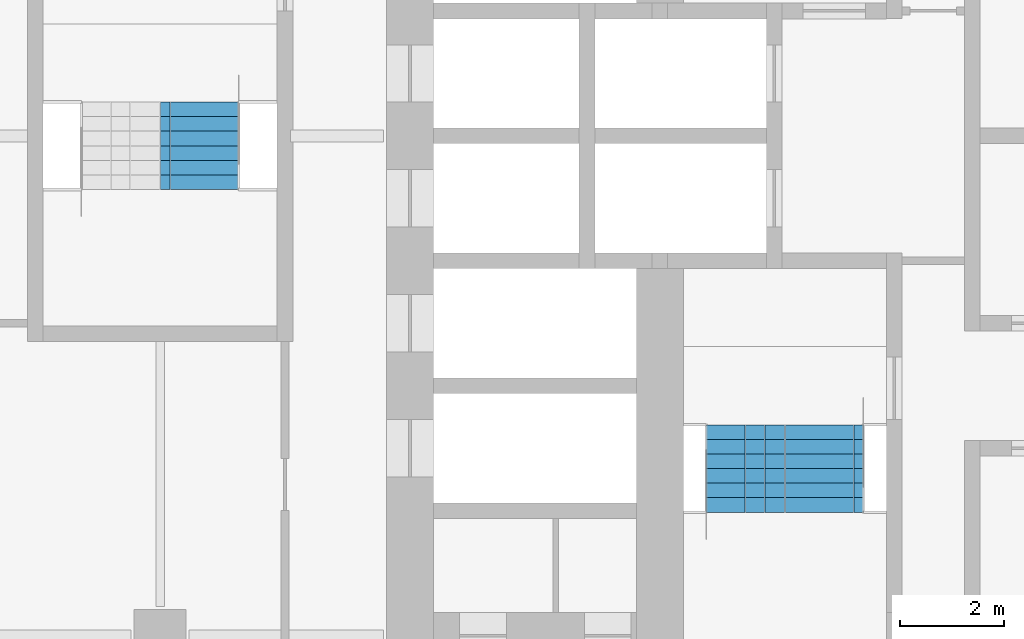
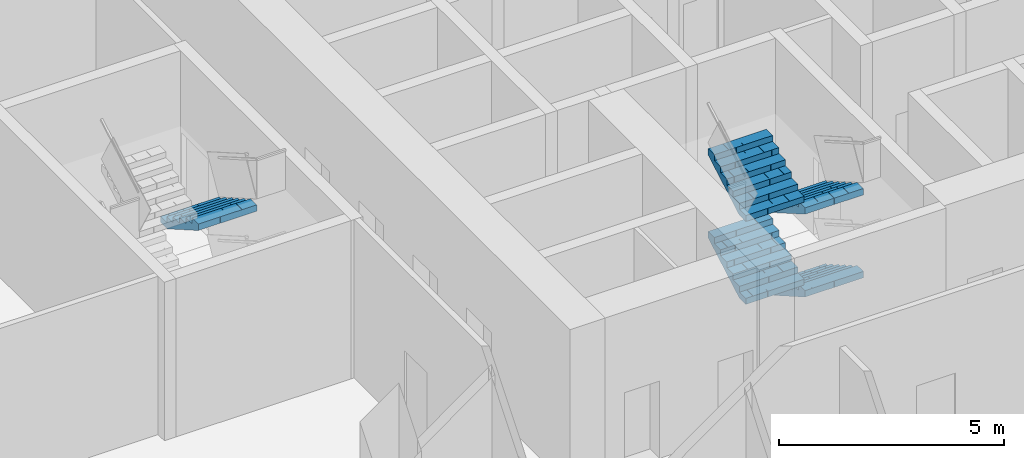
# One storey, part 18 of 23: 5 stair flights, 2 elements without a shape of their own.
"""IFC4 building model written with IfcOpenShell, lengths in metres."""

from ifc_helpers import new_model, si_unit, direction, frame, origin, place, context, subcontext, project, spatial, polyline, outline, extrude, material, type_object, element, aggregate, save


model = new_model("IFC4")

# Units and contexts
model_context = context("Model", 3, precision=1e-05, world=origin(), true_north=direction((0.0, 1.0)))
body_context = subcontext(model_context, "Body", "Model", "MODEL_VIEW")
ifc_project = project(units=[si_unit("LENGTHUNIT", "METRE"), si_unit("AREAUNIT", "SQUARE_METRE"), si_unit("VOLUMEUNIT", "CUBIC_METRE"), si_unit("PLANEANGLEUNIT", "RADIAN"), si_unit("MASSUNIT", "GRAM", prefix="KILO")], contexts=[model_context])

# Site, building, storey
site_placement = place(None, origin())
site = spatial("IfcSite", under=ifc_project, at=site_placement, CompositionType="ELEMENT")
building_placement = place(site_placement, origin())
building = spatial("IfcBuilding", under=site, at=building_placement, Name="Kolab Exchange Tower", CompositionType="ELEMENT")
storey_placement = place(building_placement, frame((0.0, 0.0, 77.89990234375)))
storey = spatial("IfcBuildingStorey", under=building, at=storey_placement, Name="L14", CompositionType="ELEMENT", Elevation=77.89990234375)

# Stair, stair flights
ifc_material = material(Name="Concrete C50/60", Category="concrete")
stair_type_1 = type_object("IfcStairType", Name="STAIR ST3 RISER 160.7", PredefinedType="DOUBLE_RETURN_STAIR", material=ifc_material)
stair_1_placement = place(storey_placement, origin())
stair_1 = element("IfcStair", 1, at=stair_1_placement, inside=storey, type_object=stair_type_1, Name="Stair 3", PredefinedType="DOUBLE_RETURN_STAIR")
stair_flight_type = type_object("IfcStairFlightType", Name="STAIR FLIGHT 1500 RISER 160.7", PredefinedType="STRAIGHT", material=ifc_material)
stair_flight_1_placement = place(storey_placement, frame((-6.43994140625, -5.550048828125, 0.0), z_axis=(0.0, 0.0, 1.0), x_axis=(0.0, -1.0, 0.0)))
stair_flight_1 = element("IfcStairFlight", 2, at=stair_flight_1_placement, type_object=stair_flight_type, Name="ST3 flight 1", NumberOfRisers=7, NumberOfTreads=6, PredefinedType="STRAIGHT", RiserHeight=0.160714286, TreadLength=0.28, context=body_context, shape_type="SweptSolid", body=[
    extrude(outline(polyline([(0.0, 0.0), (0.0, 0.16064453125), (0.280029296875, 0.16064453125), (0.280029296875, 0.321533203125), (0.56005859375, 0.321533203125), (0.56005859375, 0.482177734375), (0.840087890625, 0.482177734375), (0.840087890625, 0.642822265625), (1.1201171875, 0.642822265625), (1.1201171875, 0.803466796875), (1.39990234375, 0.803466796875), (1.39990234375, 0.96435546875), (1.679931640625, 0.96435546875), (1.679931640625, 1.125), (1.679931640625, 0.79150390625), (0.301025390625, 0.0), (0.0, 0.0)])), frame((0.0, 0.75, 0.0), z_axis=(0.0, -1.0, 0.0), x_axis=(1.0, 0.0, 0.0)), (0.0, 0.0, 1.0), 0.185791015625),
    extrude(outline(polyline([(0.0, 0.0), (0.0, 0.16064453125), (0.280029296875, 0.16064453125), (0.280029296875, 0.321533203125), (0.56005859375, 0.321533203125), (0.56005859375, 0.482177734375), (0.840087890625, 0.482177734375), (0.840087890625, 0.642822265625), (1.1201171875, 0.642822265625), (1.1201171875, 0.803466796875), (1.39990234375, 0.803466796875), (1.39990234375, 0.96435546875), (1.679931640625, 0.96435546875), (1.679931640625, 1.125), (1.679931640625, 0.79150390625), (0.301025390625, 0.0), (0.0, 0.0)])), frame((0.0, 0.562255859375, 0.0), z_axis=(0.0, -1.0, 0.0), x_axis=(1.0, 0.0, 0.0)), (0.0, 0.0, 1.0), 0.185791015625),
    extrude(outline(polyline([(0.0, 0.0), (0.0, 0.16064453125), (0.280029296875, 0.16064453125), (0.280029296875, 0.321533203125), (0.56005859375, 0.321533203125), (0.56005859375, 0.482177734375), (0.840087890625, 0.482177734375), (0.840087890625, 0.642822265625), (1.1201171875, 0.642822265625), (1.1201171875, 0.803466796875), (1.39990234375, 0.803466796875), (1.39990234375, 0.96435546875), (1.679931640625, 0.96435546875), (1.679931640625, 1.125), (1.679931640625, 0.79150390625), (0.301025390625, 0.0), (0.0, 0.0)])), frame((0.0, 0.37451171875, 0.0), z_axis=(0.0, -1.0, 0.0), x_axis=(1.0, 0.0, 0.0)), (0.0, 0.0, 1.0), 0.185791015625),
    extrude(outline(polyline([(0.0, 0.0), (0.0, 0.16064453125), (0.280029296875, 0.16064453125), (0.280029296875, 0.321533203125), (0.56005859375, 0.321533203125), (0.56005859375, 0.482177734375), (0.840087890625, 0.482177734375), (0.840087890625, 0.642822265625), (1.1201171875, 0.642822265625), (1.1201171875, 0.803466796875), (1.39990234375, 0.803466796875), (1.39990234375, 0.96435546875), (1.679931640625, 0.96435546875), (1.679931640625, 1.125), (1.679931640625, 0.79150390625), (0.301025390625, 0.0), (0.0, 0.0)])), frame((0.0, 0.186767578125, 0.0), z_axis=(0.0, -1.0, 0.0), x_axis=(1.0, 0.0, 0.0)), (0.0, 0.0, 1.0), 0.185791015625),
    extrude(outline(polyline([(0.0, 0.0), (0.0, 0.16064453125), (0.280029296875, 0.16064453125), (0.280029296875, 0.321533203125), (0.56005859375, 0.321533203125), (0.56005859375, 0.482177734375), (0.840087890625, 0.482177734375), (0.840087890625, 0.642822265625), (1.1201171875, 0.642822265625), (1.1201171875, 0.803466796875), (1.39990234375, 0.803466796875), (1.39990234375, 0.96435546875), (1.679931640625, 0.96435546875), (1.679931640625, 1.125), (1.679931640625, 0.79150390625), (0.301025390625, 0.0), (0.0, 0.0)])), frame((0.0, -0.0009765625, 0.0), z_axis=(0.0, -1.0, 0.0), x_axis=(1.0, 0.0, 0.0)), (0.0, 0.0, 1.0), 0.185791015625),
    extrude(outline(polyline([(0.0, 0.0), (0.0, 0.16064453125), (0.280029296875, 0.16064453125), (0.280029296875, 0.321533203125), (0.56005859375, 0.321533203125), (0.56005859375, 0.482177734375), (0.840087890625, 0.482177734375), (0.840087890625, 0.642822265625), (1.1201171875, 0.642822265625), (1.1201171875, 0.803466796875), (1.39990234375, 0.803466796875), (1.39990234375, 0.96435546875), (1.679931640625, 0.96435546875), (1.679931640625, 1.125), (1.679931640625, 0.79150390625), (0.301025390625, 0.0), (0.0, 0.0)])), frame((0.0, -0.188720703125, 0.0), z_axis=(0.0, -1.0, 0.0), x_axis=(1.0, 0.0, 0.0)), (0.0, 0.0, 1.0), 0.185791015625),
    extrude(outline(polyline([(0.0, 0.0), (0.0, 0.16064453125), (0.280029296875, 0.16064453125), (0.280029296875, 0.321533203125), (0.56005859375, 0.321533203125), (0.56005859375, 0.482177734375), (0.840087890625, 0.482177734375), (0.840087890625, 0.642822265625), (1.1201171875, 0.642822265625), (1.1201171875, 0.803466796875), (1.39990234375, 0.803466796875), (1.39990234375, 0.96435546875), (1.679931640625, 0.96435546875), (1.679931640625, 1.125), (1.679931640625, 0.79150390625), (0.301025390625, 0.0), (0.0, 0.0)])), frame((0.0, -0.37646484375, 0.0), z_axis=(0.0, -1.0, 0.0), x_axis=(1.0, 0.0, 0.0)), (0.0, 0.0, 1.0), 0.185791015625),
    extrude(outline(polyline([(0.0, 0.0), (0.0, 0.16064453125), (0.280029296875, 0.16064453125), (0.280029296875, 0.321533203125), (0.56005859375, 0.321533203125), (0.56005859375, 0.482177734375), (0.840087890625, 0.482177734375), (0.840087890625, 0.642822265625), (1.1201171875, 0.642822265625), (1.1201171875, 0.803466796875), (1.39990234375, 0.803466796875), (1.39990234375, 0.96435546875), (1.679931640625, 0.96435546875), (1.679931640625, 1.125), (1.679931640625, 0.79150390625), (0.301025390625, 0.0), (0.0, 0.0)])), frame((0.0, -0.564208984375, 0.0), z_axis=(0.0, -1.0, 0.0), x_axis=(1.0, 0.0, 0.0)), (0.0, 0.0, 1.0), 0.185791015625),
])
stair_flight_2_placement = place(storey_placement, frame((-7.9599609375, -7.22998046875, 1.125), z_axis=(0.0, 0.0, 1.0), x_axis=(0.0, 1.0, 0.0)))
stair_flight_2 = element("IfcStairFlight", 3, at=stair_flight_2_placement, type_object=stair_flight_type, Name="ST3 flight 2", NumberOfRisers=7, NumberOfTreads=6, PredefinedType="STRAIGHT", RiserHeight=0.160714286, TreadLength=0.28, context=body_context, shape_type="SweptSolid", body=[
    extrude(outline(polyline([(0.0, 0.0), (0.0, 0.16064453125), (0.280029296875, 0.16064453125), (0.280029296875, 0.321533203125), (0.56005859375, 0.321533203125), (0.56005859375, 0.482177734375), (0.840087890625, 0.482177734375), (0.840087890625, 0.642822265625), (1.1201171875, 0.642822265625), (1.1201171875, 0.803466796875), (1.39990234375, 0.803466796875), (1.39990234375, 0.96435546875), (1.679931640625, 0.96435546875), (1.679931640625, 1.125), (1.679931640625, 0.79150390625), (0.301025390625, 0.0), (0.0, 0.0)])), frame((0.0, 0.75, 0.0), z_axis=(0.0, -1.0, 0.0), x_axis=(1.0, 0.0, 0.0)), (0.0, 0.0, 1.0), 0.185791015625),
    extrude(outline(polyline([(0.0, 0.0), (0.0, 0.16064453125), (0.280029296875, 0.16064453125), (0.280029296875, 0.321533203125), (0.56005859375, 0.321533203125), (0.56005859375, 0.482177734375), (0.840087890625, 0.482177734375), (0.840087890625, 0.642822265625), (1.1201171875, 0.642822265625), (1.1201171875, 0.803466796875), (1.39990234375, 0.803466796875), (1.39990234375, 0.96435546875), (1.679931640625, 0.96435546875), (1.679931640625, 1.125), (1.679931640625, 0.79150390625), (0.301025390625, 0.0), (0.0, 0.0)])), frame((0.0, 0.562255859375, 0.0), z_axis=(0.0, -1.0, 0.0), x_axis=(1.0, 0.0, 0.0)), (0.0, 0.0, 1.0), 0.185791015625),
    extrude(outline(polyline([(0.0, 0.0), (0.0, 0.16064453125), (0.280029296875, 0.16064453125), (0.280029296875, 0.321533203125), (0.56005859375, 0.321533203125), (0.56005859375, 0.482177734375), (0.840087890625, 0.482177734375), (0.840087890625, 0.642822265625), (1.1201171875, 0.642822265625), (1.1201171875, 0.803466796875), (1.39990234375, 0.803466796875), (1.39990234375, 0.96435546875), (1.679931640625, 0.96435546875), (1.679931640625, 1.125), (1.679931640625, 0.79150390625), (0.301025390625, 0.0), (0.0, 0.0)])), frame((0.0, 0.37451171875, 0.0), z_axis=(0.0, -1.0, 0.0), x_axis=(1.0, 0.0, 0.0)), (0.0, 0.0, 1.0), 0.185791015625),
    extrude(outline(polyline([(0.0, 0.0), (0.0, 0.16064453125), (0.280029296875, 0.16064453125), (0.280029296875, 0.321533203125), (0.56005859375, 0.321533203125), (0.56005859375, 0.482177734375), (0.840087890625, 0.482177734375), (0.840087890625, 0.642822265625), (1.1201171875, 0.642822265625), (1.1201171875, 0.803466796875), (1.39990234375, 0.803466796875), (1.39990234375, 0.96435546875), (1.679931640625, 0.96435546875), (1.679931640625, 1.125), (1.679931640625, 0.79150390625), (0.301025390625, 0.0), (0.0, 0.0)])), frame((0.0, 0.186767578125, 0.0), z_axis=(0.0, -1.0, 0.0), x_axis=(1.0, 0.0, 0.0)), (0.0, 0.0, 1.0), 0.185791015625),
    extrude(outline(polyline([(0.0, 0.0), (0.0, 0.16064453125), (0.280029296875, 0.16064453125), (0.280029296875, 0.321533203125), (0.56005859375, 0.321533203125), (0.56005859375, 0.482177734375), (0.840087890625, 0.482177734375), (0.840087890625, 0.642822265625), (1.1201171875, 0.642822265625), (1.1201171875, 0.803466796875), (1.39990234375, 0.803466796875), (1.39990234375, 0.96435546875), (1.679931640625, 0.96435546875), (1.679931640625, 1.125), (1.679931640625, 0.79150390625), (0.301025390625, 0.0), (0.0, 0.0)])), frame((0.0, -0.0009765625, 0.0), z_axis=(0.0, -1.0, 0.0), x_axis=(1.0, 0.0, 0.0)), (0.0, 0.0, 1.0), 0.185791015625),
    extrude(outline(polyline([(0.0, 0.0), (0.0, 0.16064453125), (0.280029296875, 0.16064453125), (0.280029296875, 0.321533203125), (0.56005859375, 0.321533203125), (0.56005859375, 0.482177734375), (0.840087890625, 0.482177734375), (0.840087890625, 0.642822265625), (1.1201171875, 0.642822265625), (1.1201171875, 0.803466796875), (1.39990234375, 0.803466796875), (1.39990234375, 0.96435546875), (1.679931640625, 0.96435546875), (1.679931640625, 1.125), (1.679931640625, 0.79150390625), (0.301025390625, 0.0), (0.0, 0.0)])), frame((0.0, -0.188720703125, 0.0), z_axis=(0.0, -1.0, 0.0), x_axis=(1.0, 0.0, 0.0)), (0.0, 0.0, 1.0), 0.185791015625),
    extrude(outline(polyline([(0.0, 0.0), (0.0, 0.16064453125), (0.280029296875, 0.16064453125), (0.280029296875, 0.321533203125), (0.56005859375, 0.321533203125), (0.56005859375, 0.482177734375), (0.840087890625, 0.482177734375), (0.840087890625, 0.642822265625), (1.1201171875, 0.642822265625), (1.1201171875, 0.803466796875), (1.39990234375, 0.803466796875), (1.39990234375, 0.96435546875), (1.679931640625, 0.96435546875), (1.679931640625, 1.125), (1.679931640625, 0.79150390625), (0.301025390625, 0.0), (0.0, 0.0)])), frame((0.0, -0.37646484375, 0.0), z_axis=(0.0, -1.0, 0.0), x_axis=(1.0, 0.0, 0.0)), (0.0, 0.0, 1.0), 0.185791015625),
    extrude(outline(polyline([(0.0, 0.0), (0.0, 0.16064453125), (0.280029296875, 0.16064453125), (0.280029296875, 0.321533203125), (0.56005859375, 0.321533203125), (0.56005859375, 0.482177734375), (0.840087890625, 0.482177734375), (0.840087890625, 0.642822265625), (1.1201171875, 0.642822265625), (1.1201171875, 0.803466796875), (1.39990234375, 0.803466796875), (1.39990234375, 0.96435546875), (1.679931640625, 0.96435546875), (1.679931640625, 1.125), (1.679931640625, 0.79150390625), (0.301025390625, 0.0), (0.0, 0.0)])), frame((0.0, -0.564208984375, 0.0), z_axis=(0.0, -1.0, 0.0), x_axis=(1.0, 0.0, 0.0)), (0.0, 0.0, 1.0), 0.185791015625),
])
stair_flight_3_placement = place(storey_placement, frame((-6.43994140625, -5.550048828125, 2.25), z_axis=(0.0, 0.0, 1.0), x_axis=(0.0, -1.0, 0.0)))
stair_flight_3 = element("IfcStairFlight", 4, at=stair_flight_3_placement, type_object=stair_flight_type, Name="ST3 flight 3", NumberOfRisers=7, NumberOfTreads=6, PredefinedType="STRAIGHT", RiserHeight=0.160714286, TreadLength=0.28, context=body_context, shape_type="SweptSolid", body=[
    extrude(outline(polyline([(0.0, 0.0), (0.0, 0.16064453125), (0.280029296875, 0.16064453125), (0.280029296875, 0.321533203125), (0.56005859375, 0.321533203125), (0.56005859375, 0.482177734375), (0.840087890625, 0.482177734375), (0.840087890625, 0.642822265625), (1.1201171875, 0.642822265625), (1.1201171875, 0.803466796875), (1.39990234375, 0.803466796875), (1.39990234375, 0.96435546875), (1.679931640625, 0.96435546875), (1.679931640625, 1.125), (1.679931640625, 0.79150390625), (0.301025390625, 0.0), (0.0, 0.0)])), frame((0.0, 0.75, 0.0), z_axis=(0.0, -1.0, 0.0), x_axis=(1.0, 0.0, 0.0)), (0.0, 0.0, 1.0), 0.185791015625),
    extrude(outline(polyline([(0.0, 0.0), (0.0, 0.16064453125), (0.280029296875, 0.16064453125), (0.280029296875, 0.321533203125), (0.56005859375, 0.321533203125), (0.56005859375, 0.482177734375), (0.840087890625, 0.482177734375), (0.840087890625, 0.642822265625), (1.1201171875, 0.642822265625), (1.1201171875, 0.803466796875), (1.39990234375, 0.803466796875), (1.39990234375, 0.96435546875), (1.679931640625, 0.96435546875), (1.679931640625, 1.125), (1.679931640625, 0.79150390625), (0.301025390625, 0.0), (0.0, 0.0)])), frame((0.0, 0.562255859375, 0.0), z_axis=(0.0, -1.0, 0.0), x_axis=(1.0, 0.0, 0.0)), (0.0, 0.0, 1.0), 0.185791015625),
    extrude(outline(polyline([(0.0, 0.0), (0.0, 0.16064453125), (0.280029296875, 0.16064453125), (0.280029296875, 0.321533203125), (0.56005859375, 0.321533203125), (0.56005859375, 0.482177734375), (0.840087890625, 0.482177734375), (0.840087890625, 0.642822265625), (1.1201171875, 0.642822265625), (1.1201171875, 0.803466796875), (1.39990234375, 0.803466796875), (1.39990234375, 0.96435546875), (1.679931640625, 0.96435546875), (1.679931640625, 1.125), (1.679931640625, 0.79150390625), (0.301025390625, 0.0), (0.0, 0.0)])), frame((0.0, 0.37451171875, 0.0), z_axis=(0.0, -1.0, 0.0), x_axis=(1.0, 0.0, 0.0)), (0.0, 0.0, 1.0), 0.185791015625),
    extrude(outline(polyline([(0.0, 0.0), (0.0, 0.16064453125), (0.280029296875, 0.16064453125), (0.280029296875, 0.321533203125), (0.56005859375, 0.321533203125), (0.56005859375, 0.482177734375), (0.840087890625, 0.482177734375), (0.840087890625, 0.642822265625), (1.1201171875, 0.642822265625), (1.1201171875, 0.803466796875), (1.39990234375, 0.803466796875), (1.39990234375, 0.96435546875), (1.679931640625, 0.96435546875), (1.679931640625, 1.125), (1.679931640625, 0.79150390625), (0.301025390625, 0.0), (0.0, 0.0)])), frame((0.0, 0.186767578125, 0.0), z_axis=(0.0, -1.0, 0.0), x_axis=(1.0, 0.0, 0.0)), (0.0, 0.0, 1.0), 0.185791015625),
    extrude(outline(polyline([(0.0, 0.0), (0.0, 0.16064453125), (0.280029296875, 0.16064453125), (0.280029296875, 0.321533203125), (0.56005859375, 0.321533203125), (0.56005859375, 0.482177734375), (0.840087890625, 0.482177734375), (0.840087890625, 0.642822265625), (1.1201171875, 0.642822265625), (1.1201171875, 0.803466796875), (1.39990234375, 0.803466796875), (1.39990234375, 0.96435546875), (1.679931640625, 0.96435546875), (1.679931640625, 1.125), (1.679931640625, 0.79150390625), (0.301025390625, 0.0), (0.0, 0.0)])), frame((0.0, -0.0009765625, 0.0), z_axis=(0.0, -1.0, 0.0), x_axis=(1.0, 0.0, 0.0)), (0.0, 0.0, 1.0), 0.185791015625),
    extrude(outline(polyline([(0.0, 0.0), (0.0, 0.16064453125), (0.280029296875, 0.16064453125), (0.280029296875, 0.321533203125), (0.56005859375, 0.321533203125), (0.56005859375, 0.482177734375), (0.840087890625, 0.482177734375), (0.840087890625, 0.642822265625), (1.1201171875, 0.642822265625), (1.1201171875, 0.803466796875), (1.39990234375, 0.803466796875), (1.39990234375, 0.96435546875), (1.679931640625, 0.96435546875), (1.679931640625, 1.125), (1.679931640625, 0.79150390625), (0.301025390625, 0.0), (0.0, 0.0)])), frame((0.0, -0.188720703125, 0.0), z_axis=(0.0, -1.0, 0.0), x_axis=(1.0, 0.0, 0.0)), (0.0, 0.0, 1.0), 0.185791015625),
    extrude(outline(polyline([(0.0, 0.0), (0.0, 0.16064453125), (0.280029296875, 0.16064453125), (0.280029296875, 0.321533203125), (0.56005859375, 0.321533203125), (0.56005859375, 0.482177734375), (0.840087890625, 0.482177734375), (0.840087890625, 0.642822265625), (1.1201171875, 0.642822265625), (1.1201171875, 0.803466796875), (1.39990234375, 0.803466796875), (1.39990234375, 0.96435546875), (1.679931640625, 0.96435546875), (1.679931640625, 1.125), (1.679931640625, 0.79150390625), (0.301025390625, 0.0), (0.0, 0.0)])), frame((0.0, -0.37646484375, 0.0), z_axis=(0.0, -1.0, 0.0), x_axis=(1.0, 0.0, 0.0)), (0.0, 0.0, 1.0), 0.185791015625),
    extrude(outline(polyline([(0.0, 0.0), (0.0, 0.16064453125), (0.280029296875, 0.16064453125), (0.280029296875, 0.321533203125), (0.56005859375, 0.321533203125), (0.56005859375, 0.482177734375), (0.840087890625, 0.482177734375), (0.840087890625, 0.642822265625), (1.1201171875, 0.642822265625), (1.1201171875, 0.803466796875), (1.39990234375, 0.803466796875), (1.39990234375, 0.96435546875), (1.679931640625, 0.96435546875), (1.679931640625, 1.125), (1.679931640625, 0.79150390625), (0.301025390625, 0.0), (0.0, 0.0)])), frame((0.0, -0.564208984375, 0.0), z_axis=(0.0, -1.0, 0.0), x_axis=(1.0, 0.0, 0.0)), (0.0, 0.0, 1.0), 0.185791015625),
])
stair_flight_4_placement = place(storey_placement, frame((-7.9599609375, -7.22998046875, 3.375), z_axis=(0.0, 0.0, 1.0), x_axis=(0.0, 1.0, 0.0)))
stair_flight_4 = element("IfcStairFlight", 5, at=stair_flight_4_placement, type_object=stair_flight_type, Name="ST3 flight 4", NumberOfRisers=7, NumberOfTreads=6, PredefinedType="STRAIGHT", RiserHeight=0.160714286, TreadLength=0.28, context=body_context, shape_type="SweptSolid", body=[
    extrude(outline(polyline([(0.0, 0.0), (0.0, 0.16064453125), (0.280029296875, 0.16064453125), (0.280029296875, 0.321533203125), (0.56005859375, 0.321533203125), (0.56005859375, 0.482177734375), (0.840087890625, 0.482177734375), (0.840087890625, 0.642822265625), (1.1201171875, 0.642822265625), (1.1201171875, 0.803466796875), (1.39990234375, 0.803466796875), (1.39990234375, 0.96435546875), (1.679931640625, 0.96435546875), (1.679931640625, 1.125), (1.679931640625, 0.79150390625), (0.301025390625, 0.0), (0.0, 0.0)])), frame((0.0, 0.75, 0.0), z_axis=(0.0, -1.0, 0.0), x_axis=(1.0, 0.0, 0.0)), (0.0, 0.0, 1.0), 0.185791015625),
    extrude(outline(polyline([(0.0, 0.0), (0.0, 0.16064453125), (0.280029296875, 0.16064453125), (0.280029296875, 0.321533203125), (0.56005859375, 0.321533203125), (0.56005859375, 0.482177734375), (0.840087890625, 0.482177734375), (0.840087890625, 0.642822265625), (1.1201171875, 0.642822265625), (1.1201171875, 0.803466796875), (1.39990234375, 0.803466796875), (1.39990234375, 0.96435546875), (1.679931640625, 0.96435546875), (1.679931640625, 1.125), (1.679931640625, 0.79150390625), (0.301025390625, 0.0), (0.0, 0.0)])), frame((0.0, 0.562255859375, 0.0), z_axis=(0.0, -1.0, 0.0), x_axis=(1.0, 0.0, 0.0)), (0.0, 0.0, 1.0), 0.185791015625),
    extrude(outline(polyline([(0.0, 0.0), (0.0, 0.16064453125), (0.280029296875, 0.16064453125), (0.280029296875, 0.321533203125), (0.56005859375, 0.321533203125), (0.56005859375, 0.482177734375), (0.840087890625, 0.482177734375), (0.840087890625, 0.642822265625), (1.1201171875, 0.642822265625), (1.1201171875, 0.803466796875), (1.39990234375, 0.803466796875), (1.39990234375, 0.96435546875), (1.679931640625, 0.96435546875), (1.679931640625, 1.125), (1.679931640625, 0.79150390625), (0.301025390625, 0.0), (0.0, 0.0)])), frame((0.0, 0.37451171875, 0.0), z_axis=(0.0, -1.0, 0.0), x_axis=(1.0, 0.0, 0.0)), (0.0, 0.0, 1.0), 0.185791015625),
    extrude(outline(polyline([(0.0, 0.0), (0.0, 0.16064453125), (0.280029296875, 0.16064453125), (0.280029296875, 0.321533203125), (0.56005859375, 0.321533203125), (0.56005859375, 0.482177734375), (0.840087890625, 0.482177734375), (0.840087890625, 0.642822265625), (1.1201171875, 0.642822265625), (1.1201171875, 0.803466796875), (1.39990234375, 0.803466796875), (1.39990234375, 0.96435546875), (1.679931640625, 0.96435546875), (1.679931640625, 1.125), (1.679931640625, 0.79150390625), (0.301025390625, 0.0), (0.0, 0.0)])), frame((0.0, 0.186767578125, 0.0), z_axis=(0.0, -1.0, 0.0), x_axis=(1.0, 0.0, 0.0)), (0.0, 0.0, 1.0), 0.185791015625),
    extrude(outline(polyline([(0.0, 0.0), (0.0, 0.16064453125), (0.280029296875, 0.16064453125), (0.280029296875, 0.321533203125), (0.56005859375, 0.321533203125), (0.56005859375, 0.482177734375), (0.840087890625, 0.482177734375), (0.840087890625, 0.642822265625), (1.1201171875, 0.642822265625), (1.1201171875, 0.803466796875), (1.39990234375, 0.803466796875), (1.39990234375, 0.96435546875), (1.679931640625, 0.96435546875), (1.679931640625, 1.125), (1.679931640625, 0.79150390625), (0.301025390625, 0.0), (0.0, 0.0)])), frame((0.0, -0.0009765625, 0.0), z_axis=(0.0, -1.0, 0.0), x_axis=(1.0, 0.0, 0.0)), (0.0, 0.0, 1.0), 0.185791015625),
    extrude(outline(polyline([(0.0, 0.0), (0.0, 0.16064453125), (0.280029296875, 0.16064453125), (0.280029296875, 0.321533203125), (0.56005859375, 0.321533203125), (0.56005859375, 0.482177734375), (0.840087890625, 0.482177734375), (0.840087890625, 0.642822265625), (1.1201171875, 0.642822265625), (1.1201171875, 0.803466796875), (1.39990234375, 0.803466796875), (1.39990234375, 0.96435546875), (1.679931640625, 0.96435546875), (1.679931640625, 1.125), (1.679931640625, 0.79150390625), (0.301025390625, 0.0), (0.0, 0.0)])), frame((0.0, -0.188720703125, 0.0), z_axis=(0.0, -1.0, 0.0), x_axis=(1.0, 0.0, 0.0)), (0.0, 0.0, 1.0), 0.185791015625),
    extrude(outline(polyline([(0.0, 0.0), (0.0, 0.16064453125), (0.280029296875, 0.16064453125), (0.280029296875, 0.321533203125), (0.56005859375, 0.321533203125), (0.56005859375, 0.482177734375), (0.840087890625, 0.482177734375), (0.840087890625, 0.642822265625), (1.1201171875, 0.642822265625), (1.1201171875, 0.803466796875), (1.39990234375, 0.803466796875), (1.39990234375, 0.96435546875), (1.679931640625, 0.96435546875), (1.679931640625, 1.125), (1.679931640625, 0.79150390625), (0.301025390625, 0.0), (0.0, 0.0)])), frame((0.0, -0.37646484375, 0.0), z_axis=(0.0, -1.0, 0.0), x_axis=(1.0, 0.0, 0.0)), (0.0, 0.0, 1.0), 0.185791015625),
    extrude(outline(polyline([(0.0, 0.0), (0.0, 0.16064453125), (0.280029296875, 0.16064453125), (0.280029296875, 0.321533203125), (0.56005859375, 0.321533203125), (0.56005859375, 0.482177734375), (0.840087890625, 0.482177734375), (0.840087890625, 0.642822265625), (1.1201171875, 0.642822265625), (1.1201171875, 0.803466796875), (1.39990234375, 0.803466796875), (1.39990234375, 0.96435546875), (1.679931640625, 0.96435546875), (1.679931640625, 1.125), (1.679931640625, 0.79150390625), (0.301025390625, 0.0), (0.0, 0.0)])), frame((0.0, -0.564208984375, 0.0), z_axis=(0.0, -1.0, 0.0), x_axis=(1.0, 0.0, 0.0)), (0.0, 0.0, 1.0), 0.185791015625),
])
aggregate(stair_1, [stair_flight_1, stair_flight_2, stair_flight_3, stair_flight_4])

# Stair, stair flight
stair_type_2 = type_object("IfcStairType", Name="STAIR ST5 RISER 160.7", PredefinedType="DOUBLE_RETURN_STAIR", material=ifc_material)
stair_2_placement = place(storey_placement, origin())
stair_2 = element("IfcStair", 6, at=stair_2_placement, inside=storey, type_object=stair_type_2, Name="Stair 5", PredefinedType="DOUBLE_RETURN_STAIR")
stair_flight_5_placement = place(storey_placement, frame((-18.43994140625, 0.64990234375, 2.25), z_axis=(0.0, 0.0, 1.0), x_axis=(0.0, -1.0, 0.0)))
stair_flight_5 = element("IfcStairFlight", 7, at=stair_flight_5_placement, type_object=stair_flight_type, Name="ST5 flight 3", NumberOfRisers=7, NumberOfTreads=6, PredefinedType="STRAIGHT", RiserHeight=0.160714286, TreadLength=0.28, context=body_context, shape_type="SweptSolid", body=[
    extrude(outline(polyline([(0.0, 0.0), (0.0, 0.16064453125), (0.280029296875, 0.16064453125), (0.280029296875, 0.321533203125), (0.56005859375, 0.321533203125), (0.56005859375, 0.482177734375), (0.840087890625, 0.482177734375), (0.840087890625, 0.642822265625), (1.1201171875, 0.642822265625), (1.1201171875, 0.803466796875), (1.39990234375, 0.803466796875), (1.39990234375, 0.96435546875), (1.679931640625, 0.96435546875), (1.679931640625, 1.125), (1.679931640625, 0.79150390625), (0.301025390625, 0.0), (0.0, 0.0)])), frame((0.0, 0.75, 0.0), z_axis=(0.0, -1.0, 0.0), x_axis=(1.0, 0.0, 0.0)), (0.0, 0.0, 1.0), 0.185791015625),
    extrude(outline(polyline([(0.0, 0.0), (0.0, 0.16064453125), (0.280029296875, 0.16064453125), (0.280029296875, 0.321533203125), (0.56005859375, 0.321533203125), (0.56005859375, 0.482177734375), (0.840087890625, 0.482177734375), (0.840087890625, 0.642822265625), (1.1201171875, 0.642822265625), (1.1201171875, 0.803466796875), (1.39990234375, 0.803466796875), (1.39990234375, 0.96435546875), (1.679931640625, 0.96435546875), (1.679931640625, 1.125), (1.679931640625, 0.79150390625), (0.301025390625, 0.0), (0.0, 0.0)])), frame((0.0, 0.562255859375, 0.0), z_axis=(0.0, -1.0, 0.0), x_axis=(1.0, 0.0, 0.0)), (0.0, 0.0, 1.0), 0.185791015625),
    extrude(outline(polyline([(0.0, 0.0), (0.0, 0.16064453125), (0.280029296875, 0.16064453125), (0.280029296875, 0.321533203125), (0.56005859375, 0.321533203125), (0.56005859375, 0.482177734375), (0.840087890625, 0.482177734375), (0.840087890625, 0.642822265625), (1.1201171875, 0.642822265625), (1.1201171875, 0.803466796875), (1.39990234375, 0.803466796875), (1.39990234375, 0.96435546875), (1.679931640625, 0.96435546875), (1.679931640625, 1.125), (1.679931640625, 0.79150390625), (0.301025390625, 0.0), (0.0, 0.0)])), frame((0.0, 0.37451171875, 0.0), z_axis=(0.0, -1.0, 0.0), x_axis=(1.0, 0.0, 0.0)), (0.0, 0.0, 1.0), 0.185791015625),
    extrude(outline(polyline([(0.0, 0.0), (0.0, 0.16064453125), (0.280029296875, 0.16064453125), (0.280029296875, 0.321533203125), (0.56005859375, 0.321533203125), (0.56005859375, 0.482177734375), (0.840087890625, 0.482177734375), (0.840087890625, 0.642822265625), (1.1201171875, 0.642822265625), (1.1201171875, 0.803466796875), (1.39990234375, 0.803466796875), (1.39990234375, 0.96435546875), (1.679931640625, 0.96435546875), (1.679931640625, 1.125), (1.679931640625, 0.79150390625), (0.301025390625, 0.0), (0.0, 0.0)])), frame((0.0, 0.186767578125, 0.0), z_axis=(0.0, -1.0, 0.0), x_axis=(1.0, 0.0, 0.0)), (0.0, 0.0, 1.0), 0.185791015625),
    extrude(outline(polyline([(0.0, 0.0), (0.0, 0.16064453125), (0.280029296875, 0.16064453125), (0.280029296875, 0.321533203125), (0.56005859375, 0.321533203125), (0.56005859375, 0.482177734375), (0.840087890625, 0.482177734375), (0.840087890625, 0.642822265625), (1.1201171875, 0.642822265625), (1.1201171875, 0.803466796875), (1.39990234375, 0.803466796875), (1.39990234375, 0.96435546875), (1.679931640625, 0.96435546875), (1.679931640625, 1.125), (1.679931640625, 0.79150390625), (0.301025390625, 0.0), (0.0, 0.0)])), frame((0.0, -0.0009765625, 0.0), z_axis=(0.0, -1.0, 0.0), x_axis=(1.0, 0.0, 0.0)), (0.0, 0.0, 1.0), 0.185791015625),
    extrude(outline(polyline([(0.0, 0.0), (0.0, 0.16064453125), (0.280029296875, 0.16064453125), (0.280029296875, 0.321533203125), (0.56005859375, 0.321533203125), (0.56005859375, 0.482177734375), (0.840087890625, 0.482177734375), (0.840087890625, 0.642822265625), (1.1201171875, 0.642822265625), (1.1201171875, 0.803466796875), (1.39990234375, 0.803466796875), (1.39990234375, 0.96435546875), (1.679931640625, 0.96435546875), (1.679931640625, 1.125), (1.679931640625, 0.79150390625), (0.301025390625, 0.0), (0.0, 0.0)])), frame((0.0, -0.188720703125, 0.0), z_axis=(0.0, -1.0, 0.0), x_axis=(1.0, 0.0, 0.0)), (0.0, 0.0, 1.0), 0.185791015625),
    extrude(outline(polyline([(0.0, 0.0), (0.0, 0.16064453125), (0.280029296875, 0.16064453125), (0.280029296875, 0.321533203125), (0.56005859375, 0.321533203125), (0.56005859375, 0.482177734375), (0.840087890625, 0.482177734375), (0.840087890625, 0.642822265625), (1.1201171875, 0.642822265625), (1.1201171875, 0.803466796875), (1.39990234375, 0.803466796875), (1.39990234375, 0.96435546875), (1.679931640625, 0.96435546875), (1.679931640625, 1.125), (1.679931640625, 0.79150390625), (0.301025390625, 0.0), (0.0, 0.0)])), frame((0.0, -0.37646484375, 0.0), z_axis=(0.0, -1.0, 0.0), x_axis=(1.0, 0.0, 0.0)), (0.0, 0.0, 1.0), 0.185791015625),
    extrude(outline(polyline([(0.0, 0.0), (0.0, 0.16064453125), (0.280029296875, 0.16064453125), (0.280029296875, 0.321533203125), (0.56005859375, 0.321533203125), (0.56005859375, 0.482177734375), (0.840087890625, 0.482177734375), (0.840087890625, 0.642822265625), (1.1201171875, 0.642822265625), (1.1201171875, 0.803466796875), (1.39990234375, 0.803466796875), (1.39990234375, 0.96435546875), (1.679931640625, 0.96435546875), (1.679931640625, 1.125), (1.679931640625, 0.79150390625), (0.301025390625, 0.0), (0.0, 0.0)])), frame((0.0, -0.564208984375, 0.0), z_axis=(0.0, -1.0, 0.0), x_axis=(1.0, 0.0, 0.0)), (0.0, 0.0, 1.0), 0.185791015625),
])
aggregate(stair_2, [stair_flight_5])

save(model, "model.ifc")
